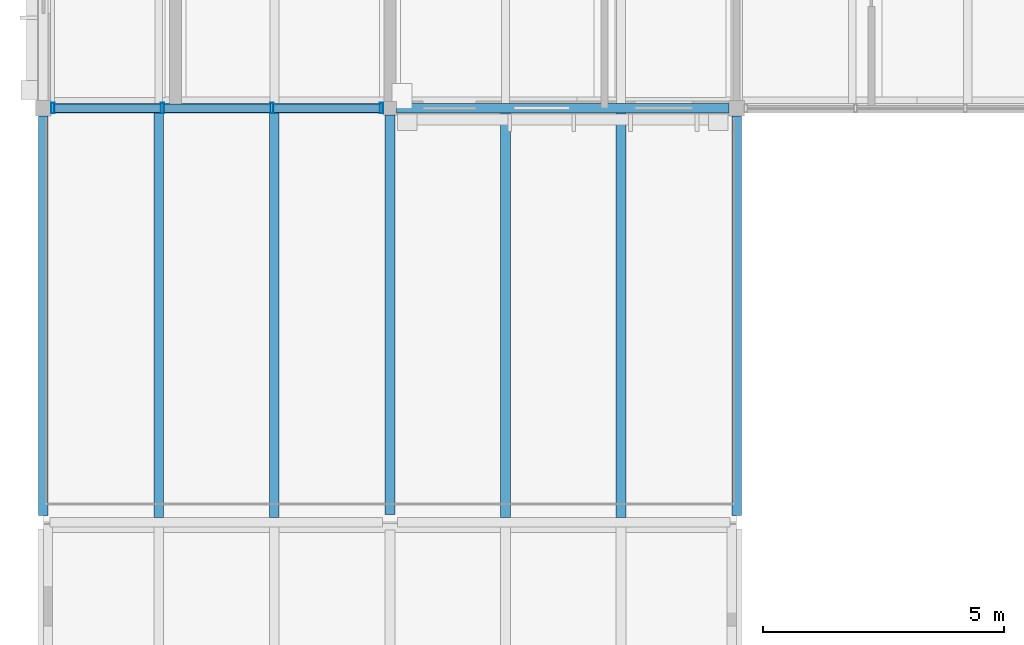
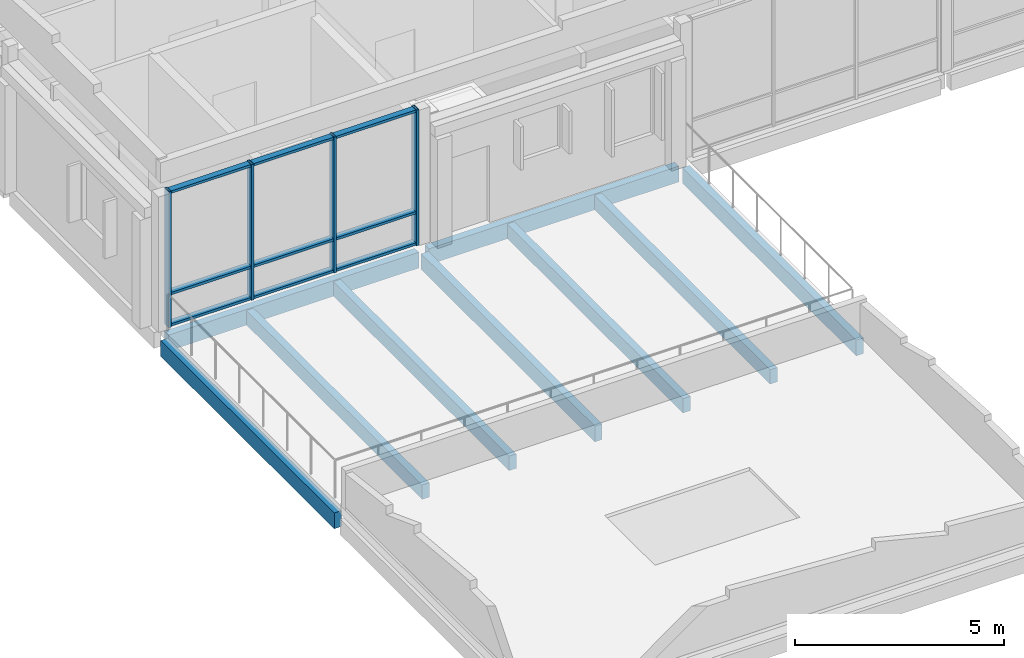
# One storey, part 6 of 32: 13 members, 9 beams, 1 element without a shape of its own.
"""IFC4 building model written with IfcOpenShell, lengths in metres."""

from ifc_helpers import new_model, si_unit, direction, frame, origin, origin_2d, place, context, subcontext, project, spatial, rectangle, hollow_rectangle, extrude, material, material_profile, profile_set, type_object, element, aggregate, save


model = new_model("IFC4")

# Units and contexts
model_context = context("Model", 3, precision=1e-05, world=origin(), true_north=direction((0.0, 1.0)))
body_context = subcontext(model_context, "Body", "Model", "MODEL_VIEW")
ifc_project = project(units=[si_unit("LENGTHUNIT", "METRE"), si_unit("AREAUNIT", "SQUARE_METRE"), si_unit("VOLUMEUNIT", "CUBIC_METRE"), si_unit("PLANEANGLEUNIT", "RADIAN"), si_unit("MASSUNIT", "GRAM", prefix="KILO")], contexts=[model_context])

# Site, building, storey
site_placement = place(None, origin())
site = spatial("IfcSite", under=ifc_project, at=site_placement, CompositionType="ELEMENT")
building_placement = place(site_placement, origin())
building = spatial("IfcBuilding", under=site, at=building_placement, Name="Hawrajan Terrace Health Centre", CompositionType="ELEMENT")
storey_placement = place(building_placement, frame((0.0, 0.0, 17.39990234375)))
storey = spatial("IfcBuildingStorey", under=building, at=storey_placement, Name="L04", CompositionType="ELEMENT", Elevation=17.39990234375)

# Curtain wall, members
ifc_material_1 = material(Name="Anodized bronze aluminium and low-E solar glazing", Category="aluminium")
curtain_wall_type = type_object("IfcCurtainWallType", Name="CW_Court_SeriesB2", PredefinedType="USERDEFINED", material=ifc_material_1)
curtain_wall_placement = place(storey_placement, origin())
curtain_wall = element("IfcCurtainWall", 1, at=curtain_wall_placement, inside=storey, type_object=curtain_wall_type, Name="Curtain wall CW-L04-173", ObjectType="UNITISED CURTAIN WALL", PredefinedType="USERDEFINED")
ifc_material_2 = material(Name="Anodized bronze aluminium 6063-T6", Category="aluminium")
ifc_material_profile_1 = material_profile(ifc_material_2, hollow_rectangle(XDim=0.074951171875, YDim=0.219970703125, WallThickness=0.0048828125, at=origin_2d()), Name="CW MUL 75x220")
ifc_profile_set_1 = profile_set([ifc_material_profile_1], Name="Anodized bronze aluminium 6063-T6")
member_type_1 = type_object("IfcMemberType", Name="CWMullion_75x220", PredefinedType="MULLION", material=ifc_profile_set_1)
member_1_placement = place(storey_placement, frame((4.797607421875, 45.39990234375, -0.0048828125), z_axis=(0.0, 0.0, 1.0), x_axis=(1.0, 0.0, 0.0)))
member_1 = element("IfcMember", 2, at=member_1_placement, type_object=member_type_1, Name="Mullion CW-L04-173-M1", PredefinedType="MULLION", context=body_context, shape_type="SweptSolid", body=[
    extrude(hollow_rectangle(XDim=0.074951171875, YDim=0.219970703125, WallThickness=0.0048828125, at=origin_2d()), origin(), (0.0, 0.0, 1.0), 3.9599609375),
])
member_2_placement = place(storey_placement, frame((7.072509765625, 45.39990234375, -0.0048828125), z_axis=(0.0, 0.0, 1.0), x_axis=(1.0, 0.0, 0.0)))
member_2 = element("IfcMember", 3, at=member_2_placement, type_object=member_type_1, Name="Mullion CW-L04-173-M2", PredefinedType="MULLION", context=body_context, shape_type="SweptSolid", body=[
    extrude(hollow_rectangle(XDim=0.074951171875, YDim=0.219970703125, WallThickness=0.0048828125, at=origin_2d()), origin(), (0.0, 0.0, 1.0), 3.9599609375),
])
member_3_placement = place(storey_placement, frame((9.347412109375, 45.39990234375, -0.0048828125), z_axis=(0.0, 0.0, 1.0), x_axis=(1.0, 0.0, 0.0)))
member_3 = element("IfcMember", 4, at=member_3_placement, type_object=member_type_1, Name="Mullion CW-L04-173-M3", PredefinedType="MULLION", context=body_context, shape_type="SweptSolid", body=[
    extrude(hollow_rectangle(XDim=0.074951171875, YDim=0.219970703125, WallThickness=0.0048828125, at=origin_2d()), origin(), (0.0, 0.0, 1.0), 3.9599609375),
])
member_4_placement = place(storey_placement, frame((11.62255859375, 45.39990234375, -0.0048828125), z_axis=(0.0, 0.0, 1.0), x_axis=(1.0, 0.0, 0.0)))
member_4 = element("IfcMember", 5, at=member_4_placement, type_object=member_type_1, Name="Mullion CW-L04-173-M4", PredefinedType="MULLION", context=body_context, shape_type="SweptSolid", body=[
    extrude(hollow_rectangle(XDim=0.074951171875, YDim=0.219970703125, WallThickness=0.0048828125, at=origin_2d()), origin(), (0.0, 0.0, 1.0), 3.9599609375),
])
ifc_material_profile_2 = material_profile(ifc_material_2, hollow_rectangle(XDim=0.074951171875, YDim=0.169921875, WallThickness=0.00439453125, at=origin_2d()), Name="CW TRN 75x170")
ifc_profile_set_2 = profile_set([ifc_material_profile_2], Name="Anodized bronze aluminium 6063-T6")
member_type_2 = type_object("IfcMemberType", Name="CWTransom_75x170", PredefinedType="USERDEFINED", material=ifc_profile_set_2)
member_5_placement = place(storey_placement, frame((4.8291015625, 45.39990234375, 0.03759765625), z_axis=(1.0, 0.0, 0.0), x_axis=(0.0, 0.0, 1.0)))
member_5 = element("IfcMember", 6, at=member_5_placement, type_object=member_type_2, Name="Transom CW-L04-173-T1-1", ObjectType="TRANSOM", PredefinedType="USERDEFINED", context=body_context, shape_type="SweptSolid", body=[
    extrude(hollow_rectangle(XDim=0.074951171875, YDim=0.169921875, WallThickness=0.00439453125, at=origin_2d()), origin(), (0.0, 0.0, 1.0), 2.2119140625),
])
member_6_placement = place(storey_placement, frame((4.8291015625, 45.39990234375, 0.9501953125), z_axis=(1.0, 0.0, 0.0), x_axis=(0.0, 0.0, 1.0)))
member_6 = element("IfcMember", 7, at=member_6_placement, type_object=member_type_2, Name="Transom CW-L04-173-T1-2", ObjectType="TRANSOM", PredefinedType="USERDEFINED", context=body_context, shape_type="SweptSolid", body=[
    extrude(hollow_rectangle(XDim=0.074951171875, YDim=0.169921875, WallThickness=0.00439453125, at=origin_2d()), origin(), (0.0, 0.0, 1.0), 2.2119140625),
])
member_7_placement = place(storey_placement, frame((4.8291015625, 45.39990234375, 3.91259765625), z_axis=(1.0, 0.0, 0.0), x_axis=(0.0, 0.0, 1.0)))
member_7 = element("IfcMember", 8, at=member_7_placement, type_object=member_type_2, Name="Transom CW-L04-173-T1-3", ObjectType="TRANSOM", PredefinedType="USERDEFINED", context=body_context, shape_type="SweptSolid", body=[
    extrude(hollow_rectangle(XDim=0.074951171875, YDim=0.169921875, WallThickness=0.00439453125, at=origin_2d()), origin(), (0.0, 0.0, 1.0), 2.2119140625),
])
member_8_placement = place(storey_placement, frame((7.10400390625, 45.39990234375, 0.03759765625), z_axis=(1.0, 0.0, 0.0), x_axis=(0.0, 0.0, 1.0)))
member_8 = element("IfcMember", 9, at=member_8_placement, type_object=member_type_2, Name="Transom CW-L04-173-T2-1", ObjectType="TRANSOM", PredefinedType="USERDEFINED", context=body_context, shape_type="SweptSolid", body=[
    extrude(hollow_rectangle(XDim=0.074951171875, YDim=0.169921875, WallThickness=0.00439453125, at=origin_2d()), origin(), (0.0, 0.0, 1.0), 2.2119140625),
])
member_9_placement = place(storey_placement, frame((7.10400390625, 45.39990234375, 0.9501953125), z_axis=(1.0, 0.0, 0.0), x_axis=(0.0, 0.0, 1.0)))
member_9 = element("IfcMember", 10, at=member_9_placement, type_object=member_type_2, Name="Transom CW-L04-173-T2-2", ObjectType="TRANSOM", PredefinedType="USERDEFINED", context=body_context, shape_type="SweptSolid", body=[
    extrude(hollow_rectangle(XDim=0.074951171875, YDim=0.169921875, WallThickness=0.00439453125, at=origin_2d()), origin(), (0.0, 0.0, 1.0), 2.2119140625),
])
member_10_placement = place(storey_placement, frame((7.10400390625, 45.39990234375, 3.91259765625), z_axis=(1.0, 0.0, 0.0), x_axis=(0.0, 0.0, 1.0)))
member_10 = element("IfcMember", 11, at=member_10_placement, type_object=member_type_2, Name="Transom CW-L04-173-T2-3", ObjectType="TRANSOM", PredefinedType="USERDEFINED", context=body_context, shape_type="SweptSolid", body=[
    extrude(hollow_rectangle(XDim=0.074951171875, YDim=0.169921875, WallThickness=0.00439453125, at=origin_2d()), origin(), (0.0, 0.0, 1.0), 2.2119140625),
])
member_11_placement = place(storey_placement, frame((9.37890625, 45.39990234375, 0.03759765625), z_axis=(1.0, 0.0, 0.0), x_axis=(0.0, 0.0, 1.0)))
member_11 = element("IfcMember", 12, at=member_11_placement, type_object=member_type_2, Name="Transom CW-L04-173-T3-1", ObjectType="TRANSOM", PredefinedType="USERDEFINED", context=body_context, shape_type="SweptSolid", body=[
    extrude(hollow_rectangle(XDim=0.074951171875, YDim=0.169921875, WallThickness=0.00439453125, at=origin_2d()), origin(), (0.0, 0.0, 1.0), 2.212158203125),
])
member_12_placement = place(storey_placement, frame((9.37890625, 45.39990234375, 0.9501953125), z_axis=(1.0, 0.0, 0.0), x_axis=(0.0, 0.0, 1.0)))
member_12 = element("IfcMember", 13, at=member_12_placement, type_object=member_type_2, Name="Transom CW-L04-173-T3-2", ObjectType="TRANSOM", PredefinedType="USERDEFINED", context=body_context, shape_type="SweptSolid", body=[
    extrude(hollow_rectangle(XDim=0.074951171875, YDim=0.169921875, WallThickness=0.00439453125, at=origin_2d()), origin(), (0.0, 0.0, 1.0), 2.212158203125),
])
member_13_placement = place(storey_placement, frame((9.37890625, 45.39990234375, 3.91259765625), z_axis=(1.0, 0.0, 0.0), x_axis=(0.0, 0.0, 1.0)))
member_13 = element("IfcMember", 14, at=member_13_placement, type_object=member_type_2, Name="Transom CW-L04-173-T3-3", ObjectType="TRANSOM", PredefinedType="USERDEFINED", context=body_context, shape_type="SweptSolid", body=[
    extrude(hollow_rectangle(XDim=0.074951171875, YDim=0.169921875, WallThickness=0.00439453125, at=origin_2d()), origin(), (0.0, 0.0, 1.0), 2.212158203125),
])
aggregate(curtain_wall, [member_1, member_2, member_3, member_4, member_5, member_6, member_7, member_8, member_9, member_10, member_11, member_12, member_13])

# Beams
ifc_material_3 = material(Name="Glulam GL28h", Category="wood")
ifc_material_profile_3 = material_profile(ifc_material_3, rectangle(XDim=0.199951171875, YDim=0.419921875, at=origin_2d()), Name="GL JST 200x420")
ifc_profile_set_3 = profile_set([ifc_material_profile_3], Name="Glulam GL28h")
beam_type_1 = type_object("IfcBeamType", Name="GlulamJoist_200x420", PredefinedType="JOIST", material=ifc_profile_set_3)
for number, where, z_axis, x_axis, name in (
    (15, (7.0, 36.89990234375, -0.4599609375), (0.0, 1.0, 0.0), (-1.0, 0.0, 0.0), "Secondary joist JST-L04-W-01-5-1"),
    (16, (9.39990234375, 36.89990234375, -0.4599609375), (0.0, 1.0, 0.0), (-1.0, 0.0, 0.0), "Secondary joist JST-L04-W-01-5-2"),
    (17, (14.199951171875, 36.89990234375, -0.4599609375), (0.0, 1.0, 0.0), (-1.0, 0.0, 0.0), "Secondary joist JST-L04-W-02-5-1"),
    (18, (16.60009765625, 36.89990234375, -0.4599609375), (0.0, 1.0, 0.0), (-1.0, 0.0, 0.0), "Secondary joist JST-L04-W-02-5-2"),
):
    element("IfcBeam", number, at=place(storey_placement, frame(where, z_axis=z_axis, x_axis=x_axis)), inside=storey, type_object=beam_type_1, Name=name, PredefinedType="JOIST", context=body_context, shape_type="SweptSolid", body=[
        extrude(rectangle(XDim=0.199951171875, YDim=0.419921875, at=origin_2d()), origin(), (0.0, 0.0, 1.0), 8.400146484375),
    ])
ifc_material_4 = material(Name="Glulam GL32h", Category="wood")
ifc_material_profile_4 = material_profile(ifc_material_4, rectangle(XDim=0.199951171875, YDim=0.4599609375, at=origin_2d()), Name="GL SP 200x460")
ifc_profile_set_4 = profile_set([ifc_material_profile_4], Name="Glulam GL32h")
beam_type_2 = type_object("IfcBeamType", Name="GlulamSpandrel_200x460", PredefinedType="SPANDREL", material=ifc_profile_set_4)
beam_1_placement = place(storey_placement, frame((4.760009765625, 45.39990234375, -0.449951171875), z_axis=(1.0, 0.0, 0.0), x_axis=(0.0, 1.0, 0.0)))
element("IfcBeam", 19, at=beam_1_placement, inside=storey, type_object=beam_type_2, Name="Beam BM-X-L04-W-01-Y6", PredefinedType="SPANDREL", context=body_context, shape_type="SweptSolid", body=[
    extrude(rectangle(XDim=0.199951171875, YDim=0.4599609375, at=origin_2d()), origin(), (0.0, 0.0, 1.0), 6.89990234375),
])
beam_2_placement = place(storey_placement, frame((11.93994140625, 45.39990234375, -0.449951171875), z_axis=(1.0, 0.0, 0.0), x_axis=(0.0, 1.0, 0.0)))
element("IfcBeam", 20, at=beam_2_placement, inside=storey, type_object=beam_type_2, Name="Beam BM-X-L04-W-02-Y6", PredefinedType="SPANDREL", context=body_context, shape_type="SweptSolid", body=[
    extrude(rectangle(XDim=0.199951171875, YDim=0.4599609375, at=origin_2d()), origin(), (0.0, 0.0, 1.0), 6.900146484375),
])
for number, where, z_axis, x_axis, name in (
    (21, (4.60009765625, 36.93994140625, -0.47998046875), (0.0, 1.0, 0.0), (-1.0, 0.0, 0.0), "Beam BM-Y-L04-W-X01-5"),
    (22, (11.800048828125, 36.9599609375, -0.47998046875), (0.0, 1.0, 0.0), (-1.0, 0.0, 0.0), "Beam BM-Y-L04-W-X02-5"),
    (23, (19.0, 36.93994140625, -0.47998046875), (0.0, 1.0, 0.0), (-1.0, 0.0, 0.0), "Beam BM-Y-L04-W-X03-5"),
):
    element("IfcBeam", number, at=place(storey_placement, frame(where, z_axis=z_axis, x_axis=x_axis)), inside=storey, type_object=beam_type_2, Name=name, PredefinedType="SPANDREL", context=body_context, shape_type="SweptSolid", body=[
        extrude(rectangle(XDim=0.199951171875, YDim=0.4599609375, at=origin_2d()), origin(), (0.0, 0.0, 1.0), 8.300048828125),
    ])

save(model, "model.ifc")
